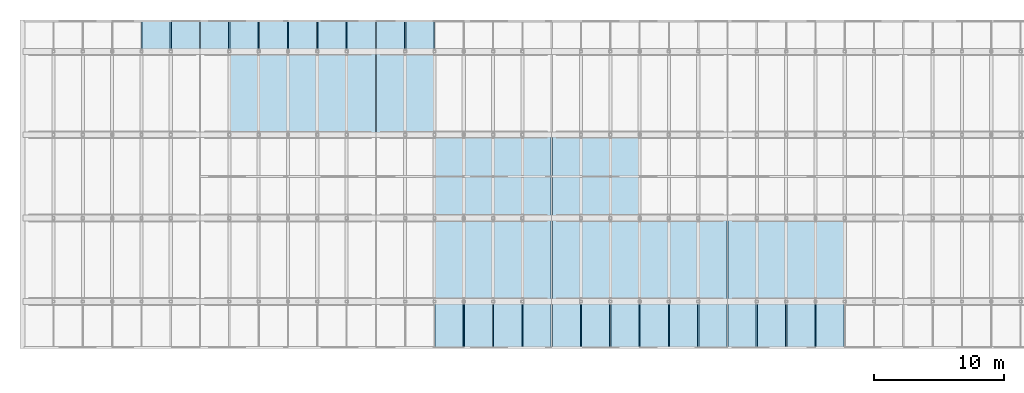
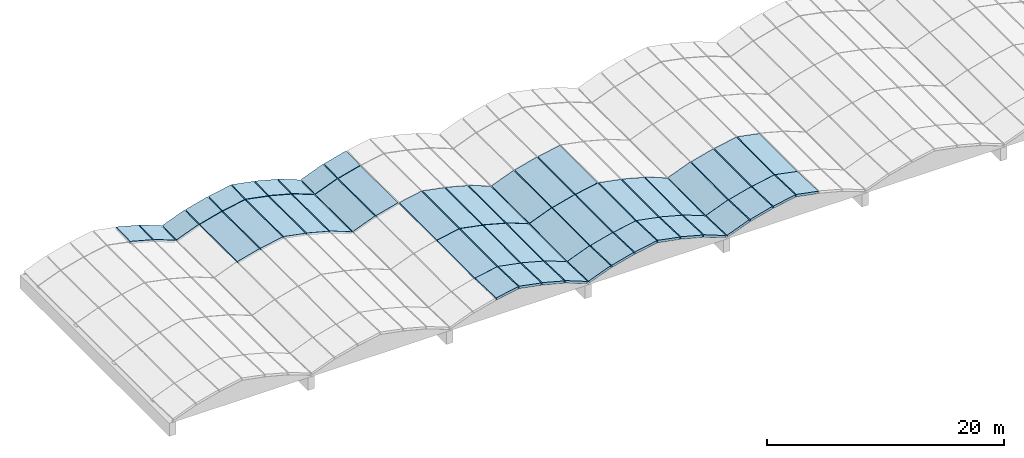
# One storey, part 12 of 15: 52 slabs, 5 elements without a shape of their own.
"""IFC4 building model written with IfcOpenShell, lengths in metres."""

from ifc_helpers import new_model, si_unit, direction, frame, origin, place, context, subcontext, project, spatial, polyline, outline, extrude, material, layer, layer_set, type_object, element, aggregate, save


model = new_model("IFC4")

# Units and contexts
model_context = context("Model", 3, precision=1e-05, world=origin(), true_north=direction((0.0, 1.0)))
body_context = subcontext(model_context, "Body", "Model", "MODEL_VIEW")
ifc_project = project(units=[si_unit("LENGTHUNIT", "METRE"), si_unit("AREAUNIT", "SQUARE_METRE"), si_unit("VOLUMEUNIT", "CUBIC_METRE"), si_unit("PLANEANGLEUNIT", "RADIAN"), si_unit("MASSUNIT", "GRAM", prefix="KILO")], contexts=[model_context])

# Site, building, storey
site_placement = place(None, origin())
site = spatial("IfcSite", under=ifc_project, at=site_placement, CompositionType="ELEMENT")
building_placement = place(site_placement, origin())
building = spatial("IfcBuilding", under=site, at=building_placement, Name="Fikremerkos Civic Library", CompositionType="ELEMENT")
storey_placement = place(building_placement, frame((0.0, 0.0, 27.89990234375)))
storey = spatial("IfcBuildingStorey", under=building, at=storey_placement, Name="RF", CompositionType="ELEMENT", Elevation=27.89990234375)

# Roof, slabs
ifc_material = material(Name="Concrete C40/50", Category="concrete")
ifc_layer_1 = layer(ifc_material, 0.219970703125, Name="Concrete C40/50")
ifc_layer_set_1 = layer_set([ifc_layer_1], Name="Concrete C40/50")
roof_type = type_object("IfcRoofType", Name="Reading hall barrel vault assembly RF-BV", PredefinedType="BARREL_ROOF", material=ifc_layer_set_1)
roof_1_placement = place(storey_placement, origin())
roof_1 = element("IfcRoof", 1, at=roof_1_placement, inside=storey, type_object=roof_type, Name="Reading hall concrete barrel vault V2", PredefinedType="BARREL_ROOF")
ifc_layer_2 = layer(ifc_material, 0.219970703125, Name="Concrete C40/50")
ifc_layer_set_2 = layer_set([ifc_layer_2], Name="Concrete C40/50")
slab_type_1 = type_object("IfcSlabType", Name="Vault shell roof strip VSR-01 220", PredefinedType="ROOF", material=ifc_layer_set_2)
slab_1_placement = place(storey_placement, frame((34.998046875, 24.81494140625, 1.076171875), z_axis=(-0.259108847261, 0.006070671626, 0.965829049168), x_axis=(0.965846846535, 0.0, 0.259113621869)))
slab_1 = element("IfcSlab", 2, at=slab_1_placement, type_object=slab_type_1, Name="Barrel vault shell strip VSR-01 V2 R4 F2", PredefinedType="ROOF", context=body_context, shape_type="SweptSolid", body=[
    extrude(outline(polyline([(0.0, 0.0), (2.2302218432479766, 4.336808689942018e-19), (2.2198471767473684, 6.3702345698807505), (-0.010374666500608148, 6.3702345698807505), (0.0, 0.0)])), origin(), (0.0, 0.0, -1.0), 0.219970703125),
])
slab_2_placement = place(storey_placement, frame((37.248046875, 24.81494140625, 1.654052734375), z_axis=(-0.191446599806, 0.006169067818, 0.981483643279), x_axis=(0.981502320169, 0.0, 0.191450242889)))
slab_2 = element("IfcSlab", 3, at=slab_2_placement, type_object=slab_type_1, Name="Barrel vault shell strip VSR-01 V2 R4 F3", PredefinedType="ROOF", context=body_context, shape_type="SweptSolid", body=[
    extrude(outline(polyline([(0.0, 0.0), (2.1946486423012233, -4.336808689942018e-19), (2.1869831540605427, 6.37023840600168), (-0.0076654882406804545, 6.37023840600168), (0.0, 0.0)])), origin(), (0.0, 0.0, -1.0), 0.219970703125),
])
slab_3_placement = place(storey_placement, frame((39.498046875, 24.81494140625, 2.07421875), z_axis=(0.191446599806, 0.006169067818, 0.981483643279), x_axis=(0.981502320169, 0.0, -0.191450242889)))
slab_3 = element("IfcSlab", 4, at=slab_3_placement, type_object=slab_type_1, Name="Barrel vault shell strip VSR-01 V2 R4 F4", PredefinedType="ROOF", context=body_context, shape_type="SweptSolid", body=[
    extrude(outline(polyline([(0.0, 0.0), (2.1946486423012233, 4.336808689942018e-19), (2.202314130541904, 6.37023840600168), (0.0076654882406804545, 6.37023840600168), (0.0, 0.0)])), origin(), (0.0, 0.0, -1.0), 0.219970703125),
])
slab_4_placement = place(storey_placement, frame((41.748046875, 24.81494140625, 1.654052734375), z_axis=(0.259108847261, 0.006070671626, 0.965829049168), x_axis=(0.965846846535, 0.0, -0.259113621869)))
slab_4 = element("IfcSlab", 5, at=slab_4_placement, type_object=slab_type_1, Name="Barrel vault shell strip VSR-01 V2 R4 F5", PredefinedType="ROOF", context=body_context, shape_type="SweptSolid", body=[
    extrude(outline(polyline([(0.0, 0.0), (2.2302218432479766, -4.336808689942018e-19), (2.2405965097485847, 6.3702345698807505), (0.010374666500608148, 6.3702345698807505), (0.0, 0.0)])), origin(), (0.0, 0.0, -1.0), 0.219970703125),
])
slab_5_placement = place(storey_placement, frame((43.998046875, 24.81494140625, 1.076171875), z_axis=(0.365584139107, 0.005832410844, 0.930760022894), x_axis=(0.930775853527, 2.86336e-07, -0.365590358861)))
slab_5 = element("IfcSlab", 6, at=slab_5_placement, type_object=slab_type_1, Name="Barrel vault shell strip VSR-01 V2 R4 F6", PredefinedType="ROOF", context=body_context, shape_type="SweptSolid", body=[
    extrude(outline(polyline([(0.0, 0.0), (2.314299692254804, -8.673617379884035e-19), (2.328850156019198, 6.370224869609008), (0.01463971922310075, 6.37022619494165), (0.0, 0.0)])), origin(), (0.0, 0.0, -1.0), 0.219970703125),
])

roof_2_placement = place(storey_placement, origin())
roof_2 = element("IfcRoof", 7, at=roof_2_placement, inside=storey, type_object=roof_type, Name="Reading hall concrete barrel vault V3", PredefinedType="BARREL_ROOF")
slab_6_placement = place(storey_placement, frame((50.748046875, 12.014892578125, 1.614013671875), z_axis=(-0.191446599806, -0.006169067818, 0.981483643279), x_axis=(0.981502320169, 0.0, 0.191450242889)))
slab_6 = element("IfcSlab", 8, at=slab_6_placement, type_object=slab_type_1, Name="Barrel vault shell strip VSR-01 V3 R2 F3", PredefinedType="ROOF", context=body_context, shape_type="SweptSolid", body=[
    extrude(outline(polyline([(0.0, 0.0), (2.1946486423012233, 4.336808689942018e-19), (2.202314130541904, 6.37023840600168), (0.0076654882406804545, 6.37023840600168), (0.0, 0.0)])), origin(), (0.0, 0.0, -1.0), 0.219970703125),
])
slab_7_placement = place(storey_placement, frame((52.998046875, 12.014892578125, 2.0341796875), z_axis=(0.191446599806, -0.006169067818, 0.981483643279), x_axis=(0.981502320169, 0.0, -0.191450242889)))
slab_7 = element("IfcSlab", 9, at=slab_7_placement, type_object=slab_type_1, Name="Barrel vault shell strip VSR-01 V3 R2 F4", PredefinedType="ROOF", context=body_context, shape_type="SweptSolid", body=[
    extrude(outline(polyline([(0.0, 0.0), (2.1946486423012233, -4.336808689942018e-19), (2.1869831540605427, 6.37023840600168), (-0.0076654882406804545, 6.37023840600168), (0.0, 0.0)])), origin(), (0.0, 0.0, -1.0), 0.219970703125),
])
slab_8_placement = place(storey_placement, frame((55.248046875, 12.014892578125, 1.614013671875), z_axis=(0.259108847261, -0.006070671626, 0.965829049168), x_axis=(0.965846846535, 0.0, -0.259113621869)))
slab_8 = element("IfcSlab", 10, at=slab_8_placement, type_object=slab_type_1, Name="Barrel vault shell strip VSR-01 V3 R2 F5", PredefinedType="ROOF", context=body_context, shape_type="SweptSolid", body=[
    extrude(outline(polyline([(0.0, 0.0), (2.2302218432479766, 4.336808689942018e-19), (2.2198471767473684, 6.3702345698807505), (-0.010374666500608148, 6.3702345698807505), (0.0, 0.0)])), origin(), (0.0, 0.0, -1.0), 0.219970703125),
])
slab_9_placement = place(storey_placement, frame((57.498046875, 12.014892578125, 1.0361328125), z_axis=(0.365584139107, -0.005832410844, 0.930760022894), x_axis=(0.930775854748, 2.86347e-07, -0.365590355752)))
slab_9 = element("IfcSlab", 11, at=slab_9_placement, type_object=slab_type_1, Name="Barrel vault shell strip VSR-01 V3 R2 F6", PredefinedType="ROOF", context=body_context, shape_type="SweptSolid", body=[
    extrude(outline(polyline([(0.0, 0.0), (2.314210436796477, 8.673617379884035e-19), (2.299663621216719, 6.370224877940915), (-0.014636071037704897, 6.370226203324673), (0.0, 0.0)])), origin(), (0.0, 0.0, -1.0), 0.219970703125),
])
slab_10_placement = place(storey_placement, frame((50.748046875, 18.4150390625, 1.654052734375), z_axis=(-0.191450242889, 0.0, 0.981502320169), x_axis=(0.981502320169, 0.0, 0.191450242889)))
slab_10 = element("IfcSlab", 12, at=slab_10_placement, type_object=slab_type_1, Name="Barrel vault shell strip VSR-01 V3 R3 F3", PredefinedType="ROOF", context=body_context, shape_type="SweptSolid", body=[
    extrude(outline(polyline([(0.0, 0.0), (2.1946486423012233, 0.0), (2.1946486423012233, 6.369873046875), (0.0, 6.369873046875), (0.0, 0.0)])), origin(), (0.0, 0.0, -1.0), 0.219970703125),
])
slab_11_placement = place(storey_placement, frame((52.998046875, 18.4150390625, 2.07421875), z_axis=(0.191450242889, 0.0, 0.981502320169), x_axis=(0.981502320169, 0.0, -0.191450242889)))
slab_11 = element("IfcSlab", 13, at=slab_11_placement, type_object=slab_type_1, Name="Barrel vault shell strip VSR-01 V3 R3 F4", PredefinedType="ROOF", context=body_context, shape_type="SweptSolid", body=[
    extrude(outline(polyline([(0.0, 0.0), (2.1946486423012233, 0.0), (2.1946486423012233, 6.369873046875), (0.0, 6.369873046875), (0.0, 0.0)])), origin(), (0.0, 0.0, -1.0), 0.219970703125),
])
slab_12_placement = place(storey_placement, frame((55.248046875, 18.4150390625, 1.654052734375), z_axis=(0.259113621869, 0.0, 0.965846846535), x_axis=(0.965846846535, 0.0, -0.259113621869)))
slab_12 = element("IfcSlab", 14, at=slab_12_placement, type_object=slab_type_1, Name="Barrel vault shell strip VSR-01 V3 R3 F5", PredefinedType="ROOF", context=body_context, shape_type="SweptSolid", body=[
    extrude(outline(polyline([(0.0, 0.0), (2.2302218432479766, 0.0), (2.2302218432479766, 6.369873046875), (0.0, 6.369873046875), (0.0, 0.0)])), origin(), (0.0, 0.0, -1.0), 0.219970703125),
])
slab_13_placement = place(storey_placement, frame((57.498046875, 18.4150390625, 1.076171875), z_axis=(0.365636053128, 0.0, 0.930757904427), x_axis=(0.930757904427, 0.0, -0.365636053128)))
slab_13 = element("IfcSlab", 15, at=slab_13_placement, type_object=slab_type_1, Name="Barrel vault shell strip VSR-01 V3 R3 F6", PredefinedType="ROOF", context=body_context, shape_type="SweptSolid", body=[
    extrude(outline(polyline([(0.0, 0.0), (2.314299695043787, 0.0), (2.314299695043787, 6.369873046875), (0.0, 6.369873046875), (0.0, 0.0)])), origin(), (0.0, 0.0, -1.0), 0.219970703125),
])
slab_14_placement = place(storey_placement, frame((46.248046875, 24.81494140625, 0.22998046875), z_axis=(-0.365584139107, 0.005832410844, 0.930760022894), x_axis=(0.930775853527, -2.86336e-07, 0.365590358861)))
slab_14 = element("IfcSlab", 16, at=slab_14_placement, type_object=slab_type_1, Name="Barrel vault shell strip VSR-01 V3 R4 F1", PredefinedType="ROOF", context=body_context, shape_type="SweptSolid", body=[
    extrude(outline(polyline([(0.0, 0.0), (2.314299692254804, 8.673617379884035e-19), (2.299659973031703, 6.370226194941651), (-0.014550463764394549, 6.370224869609008), (0.0, 0.0)])), origin(), (0.0, 0.0, -1.0), 0.219970703125),
])
slab_15_placement = place(storey_placement, frame((48.498046875, 24.81494140625, 1.076171875), z_axis=(-0.259108847261, 0.006070671626, 0.965829049168), x_axis=(0.965846846535, 0.0, 0.259113621869)))
slab_15 = element("IfcSlab", 17, at=slab_15_placement, type_object=slab_type_1, Name="Barrel vault shell strip VSR-01 V3 R4 F2", PredefinedType="ROOF", context=body_context, shape_type="SweptSolid", body=[
    extrude(outline(polyline([(0.0, 0.0), (2.2302218432479766, 4.336808689942018e-19), (2.2198471767473684, 6.3702345698807505), (-0.010374666500608148, 6.3702345698807505), (0.0, 0.0)])), origin(), (0.0, 0.0, -1.0), 0.219970703125),
])

roof_3_placement = place(storey_placement, origin())
roof_3 = element("IfcRoof", 18, at=roof_3_placement, inside=storey, type_object=roof_type, Name="Reading hall concrete barrel vault V4", PredefinedType="BARREL_ROOF")
slab_16_placement = place(storey_placement, frame((59.748046875, 12.014892578125, 0.190185546875), z_axis=(-0.365584139107, -0.005832410844, 0.930760022894), x_axis=(0.930775854748, -2.86347e-07, 0.365590355752)))
slab_16 = element("IfcSlab", 19, at=slab_16_placement, type_object=slab_type_1, Name="Barrel vault shell strip VSR-01 V4 R2 F1", PredefinedType="ROOF", context=body_context, shape_type="SweptSolid", body=[
    extrude(outline(polyline([(0.0, 0.0), (2.314210436796477, -8.673617379884035e-19), (2.328846507834182, 6.370226203324673), (0.014546815579757719, 6.370224877940915), (0.0, 0.0)])), origin(), (0.0, 0.0, -1.0), 0.219970703125),
])
slab_17_placement = place(storey_placement, frame((61.998046875, 12.014892578125, 1.0361328125), z_axis=(-0.259108847261, -0.006070671626, 0.965829049168), x_axis=(0.965846846535, 0.0, 0.259113621869)))
slab_17 = element("IfcSlab", 20, at=slab_17_placement, type_object=slab_type_1, Name="Barrel vault shell strip VSR-01 V4 R2 F2", PredefinedType="ROOF", context=body_context, shape_type="SweptSolid", body=[
    extrude(outline(polyline([(0.0, 0.0), (2.2302218432479766, -4.336808689942018e-19), (2.2405965097485847, 6.3702345698807505), (0.010374666500608148, 6.3702345698807505), (0.0, 0.0)])), origin(), (0.0, 0.0, -1.0), 0.219970703125),
])
slab_18_placement = place(storey_placement, frame((64.248046875, 12.014892578125, 1.614013671875), z_axis=(-0.191446599806, -0.006169067818, 0.981483643279), x_axis=(0.981502320169, 0.0, 0.191450242889)))
slab_18 = element("IfcSlab", 21, at=slab_18_placement, type_object=slab_type_1, Name="Barrel vault shell strip VSR-01 V4 R2 F3", PredefinedType="ROOF", context=body_context, shape_type="SweptSolid", body=[
    extrude(outline(polyline([(0.0, 0.0), (2.1946486423012233, 4.336808689942018e-19), (2.202314130541904, 6.37023840600168), (0.0076654882406804545, 6.37023840600168), (0.0, 0.0)])), origin(), (0.0, 0.0, -1.0), 0.219970703125),
])
slab_19_placement = place(storey_placement, frame((66.498046875, 12.014892578125, 2.0341796875), z_axis=(0.191446599806, -0.006169067818, 0.981483643279), x_axis=(0.981502320169, 0.0, -0.191450242889)))
slab_19 = element("IfcSlab", 22, at=slab_19_placement, type_object=slab_type_1, Name="Barrel vault shell strip VSR-01 V4 R2 F4", PredefinedType="ROOF", context=body_context, shape_type="SweptSolid", body=[
    extrude(outline(polyline([(0.0, 0.0), (2.1946486423012233, -4.336808689942018e-19), (2.1869831540605427, 6.37023840600168), (-0.0076654882406804545, 6.37023840600168), (0.0, 0.0)])), origin(), (0.0, 0.0, -1.0), 0.219970703125),
])
slab_20_placement = place(storey_placement, frame((68.748046875, 12.014892578125, 1.614013671875), z_axis=(0.259108847261, -0.006070671626, 0.965829049168), x_axis=(0.965846846535, 0.0, -0.259113621869)))
slab_20 = element("IfcSlab", 23, at=slab_20_placement, type_object=slab_type_1, Name="Barrel vault shell strip VSR-01 V4 R2 F5", PredefinedType="ROOF", context=body_context, shape_type="SweptSolid", body=[
    extrude(outline(polyline([(0.0, 0.0), (2.2302218432479766, 4.336808689942018e-19), (2.2198471767473684, 6.3702345698807505), (-0.010374666500608148, 6.3702345698807505), (0.0, 0.0)])), origin(), (0.0, 0.0, -1.0), 0.219970703125),
])
slab_21_placement = place(storey_placement, frame((70.998046875, 12.014892578125, 1.0361328125), z_axis=(0.365584139107, -0.005832410844, 0.930760022894), x_axis=(0.930775854748, 2.86347e-07, -0.365590355752)))
slab_21 = element("IfcSlab", 24, at=slab_21_placement, type_object=slab_type_1, Name="Barrel vault shell strip VSR-01 V4 R2 F6", PredefinedType="ROOF", context=body_context, shape_type="SweptSolid", body=[
    extrude(outline(polyline([(0.0, 0.0), (2.314210436796477, 8.673617379884035e-19), (2.299663621216719, 6.370224877940915), (-0.014636071037704897, 6.370226203324673), (0.0, 0.0)])), origin(), (0.0, 0.0, -1.0), 0.219970703125),
])
slab_22_placement = place(storey_placement, frame((59.748046875, 18.4150390625, 0.22998046875), z_axis=(-0.365636053128, 0.0, 0.930757904427), x_axis=(0.930757904427, 0.0, 0.365636053128)))
slab_22 = element("IfcSlab", 25, at=slab_22_placement, type_object=slab_type_1, Name="Barrel vault shell strip VSR-01 V4 R3 F1", PredefinedType="ROOF", context=body_context, shape_type="SweptSolid", body=[
    extrude(outline(polyline([(0.0, 0.0), (2.314299695043787, 0.0), (2.314299695043787, 6.369873046875), (0.0, 6.369873046875), (0.0, 0.0)])), origin(), (0.0, 0.0, -1.0), 0.219970703125),
])
slab_23_placement = place(storey_placement, frame((61.998046875, 18.4150390625, 1.076171875), z_axis=(-0.259113621869, 0.0, 0.965846846535), x_axis=(0.965846846535, 0.0, 0.259113621869)))
slab_23 = element("IfcSlab", 26, at=slab_23_placement, type_object=slab_type_1, Name="Barrel vault shell strip VSR-01 V4 R3 F2", PredefinedType="ROOF", context=body_context, shape_type="SweptSolid", body=[
    extrude(outline(polyline([(0.0, 0.0), (2.2302218432479766, 0.0), (2.2302218432479766, 6.369873046875), (0.0, 6.369873046875), (0.0, 0.0)])), origin(), (0.0, 0.0, -1.0), 0.219970703125),
])
slab_24_placement = place(storey_placement, frame((64.248046875, 18.4150390625, 1.654052734375), z_axis=(-0.191450242889, 0.0, 0.981502320169), x_axis=(0.981502320169, 0.0, 0.191450242889)))
slab_24 = element("IfcSlab", 27, at=slab_24_placement, type_object=slab_type_1, Name="Barrel vault shell strip VSR-01 V4 R3 F3", PredefinedType="ROOF", context=body_context, shape_type="SweptSolid", body=[
    extrude(outline(polyline([(0.0, 0.0), (2.1946486423012233, 0.0), (2.1946486423012233, 6.369873046875), (0.0, 6.369873046875), (0.0, 0.0)])), origin(), (0.0, 0.0, -1.0), 0.219970703125),
])

roof_4_placement = place(storey_placement, origin())
roof_4 = element("IfcRoof", 28, at=roof_4_placement, inside=storey, type_object=roof_type, Name="Reading hall concrete barrel vault V5", PredefinedType="BARREL_ROOF")
slab_25_placement = place(storey_placement, frame((73.248046875, 12.014892578125, 0.190185546875), z_axis=(-0.365584139107, -0.005832410844, 0.930760022894), x_axis=(0.930775854748, -2.86347e-07, 0.365590355752)))
slab_25 = element("IfcSlab", 29, at=slab_25_placement, type_object=slab_type_1, Name="Barrel vault shell strip VSR-01 V5 R2 F1", PredefinedType="ROOF", context=body_context, shape_type="SweptSolid", body=[
    extrude(outline(polyline([(0.0, 0.0), (2.314210436796477, -8.673617379884035e-19), (2.328846507834182, 6.370226203324673), (0.014546815579757719, 6.370224877940915), (0.0, 0.0)])), origin(), (0.0, 0.0, -1.0), 0.219970703125),
])
slab_26_placement = place(storey_placement, frame((75.498046875, 12.014892578125, 1.0361328125), z_axis=(-0.259108847261, -0.006070671626, 0.965829049168), x_axis=(0.965846846535, 0.0, 0.259113621869)))
slab_26 = element("IfcSlab", 30, at=slab_26_placement, type_object=slab_type_1, Name="Barrel vault shell strip VSR-01 V5 R2 F2", PredefinedType="ROOF", context=body_context, shape_type="SweptSolid", body=[
    extrude(outline(polyline([(0.0, 0.0), (2.2302218432479766, -4.336808689942018e-19), (2.2405965097485847, 6.3702345698807505), (0.010374666500608148, 6.3702345698807505), (0.0, 0.0)])), origin(), (0.0, 0.0, -1.0), 0.219970703125),
])
slab_27_placement = place(storey_placement, frame((77.748046875, 12.014892578125, 1.614013671875), z_axis=(-0.191446599806, -0.006169067818, 0.981483643279), x_axis=(0.981502320169, 0.0, 0.191450242889)))
slab_27 = element("IfcSlab", 31, at=slab_27_placement, type_object=slab_type_1, Name="Barrel vault shell strip VSR-01 V5 R2 F3", PredefinedType="ROOF", context=body_context, shape_type="SweptSolid", body=[
    extrude(outline(polyline([(0.0, 0.0), (2.1946486423012233, 4.336808689942018e-19), (2.202314130541904, 6.37023840600168), (0.0076654882406804545, 6.37023840600168), (0.0, 0.0)])), origin(), (0.0, 0.0, -1.0), 0.219970703125),
])
slab_28_placement = place(storey_placement, frame((79.998046875, 12.014892578125, 2.0341796875), z_axis=(0.191446599806, -0.006169067818, 0.981483643279), x_axis=(0.981502320169, 0.0, -0.191450242889)))
slab_28 = element("IfcSlab", 32, at=slab_28_placement, type_object=slab_type_1, Name="Barrel vault shell strip VSR-01 V5 R2 F4", PredefinedType="ROOF", context=body_context, shape_type="SweptSolid", body=[
    extrude(outline(polyline([(0.0, 0.0), (2.1946486423012233, -4.336808689942018e-19), (2.1869831540605427, 6.37023840600168), (-0.0076654882406804545, 6.37023840600168), (0.0, 0.0)])), origin(), (0.0, 0.0, -1.0), 0.219970703125),
])

roof_5_placement = place(storey_placement, origin())
roof_5 = element("IfcRoof", 33, at=roof_5_placement, inside=storey, type_object=roof_type, Name="Reading hall concrete barrel vault V1", PredefinedType="BARREL_ROOF")
ifc_layer_3 = layer(ifc_material, 0.239990234375, Name="Concrete C40/50")
ifc_layer_set_3 = layer_set([ifc_layer_3], Name="Concrete C40/50")
slab_type_2 = type_object("IfcSlabType", Name="Vault shell roof strip VSR-02 240", PredefinedType="ROOF", material=ifc_layer_set_3)
slab_29_placement = place(storey_placement, frame((28.248046875, 31.215087890625, 1.634033203125), z_axis=(0.259047553694, -0.02258074905, 0.965600577204), x_axis=(0.965846846535, 0.0, -0.259113621869)))
slab_29 = element("IfcSlab", 34, at=slab_29_placement, type_object=slab_type_2, Name="Barrel vault shell strip VSR-02 V1 R5 F5", PredefinedType="ROOF", context=body_context, shape_type="SweptSolid", body=[
    extrude(outline(polyline([(0.0, 0.0), (2.2302218432479766, 0.0), (2.215861786567257, 2.370477465578898), (-0.014360056680719815, 2.370477465578898), (0.0, 0.0)])), origin(), (0.0, 0.0, -1.0), 0.239990234375),
])
slab_30_placement = place(storey_placement, frame((30.498046875, 31.215087890625, 1.05615234375), z_axis=(0.365504165159, -0.021713302518, 0.930556412984), x_axis=(0.930775862599, 1.0658e-06, -0.365590335761)))
slab_30 = element("IfcSlab", 35, at=slab_30_placement, type_object=slab_type_2, Name="Barrel vault shell strip VSR-02 V1 R5 F6", PredefinedType="ROOF", context=body_context, shape_type="SweptSolid", body=[
    extrude(outline(polyline([(0.0, 0.0), (2.3142104367976972, 3.469446951953614e-18), (2.294041230215815, 2.3704294579977616), (-0.020258462034948587, 2.370434392228092), (0.0, 0.0)])), origin(), (0.0, 0.0, -1.0), 0.239990234375),
])
aggregate(roof_5, [slab_29, slab_30])

# Slab
slab_31_placement = place(storey_placement, frame((32.748046875, 31.215087890625, 0.210205078125), z_axis=(-0.365504165159, -0.021713302518, 0.930556412984), x_axis=(0.930775862599, -1.0658e-06, 0.365590335761)))
slab_31 = element("IfcSlab", 36, at=slab_31_placement, type_object=slab_type_2, Name="Barrel vault shell strip VSR-02 V2 R5 F1", PredefinedType="ROOF", context=body_context, shape_type="SweptSolid", body=[
    extrude(outline(polyline([(0.0, 0.0), (2.3142104367976972, -3.469446951953614e-18), (2.334468898832646, 2.370434392228092), (0.02016920658188198, 2.3704294579977616), (0.0, 0.0)])), origin(), (0.0, 0.0, -1.0), 0.239990234375),
])

slab_32_placement = place(storey_placement, frame((34.998046875, 31.215087890625, 1.05615234375), z_axis=(-0.259047553694, -0.02258074905, 0.965600577204), x_axis=(0.965846846535, 0.0, 0.259113621869)))
slab_32 = element("IfcSlab", 37, at=slab_32_placement, type_object=slab_type_2, Name="Barrel vault shell strip VSR-02 V2 R5 F2", PredefinedType="ROOF", context=body_context, shape_type="SweptSolid", body=[
    extrude(outline(polyline([(0.0, 0.0), (2.2302218432479766, 0.0), (2.2445818999286966, 2.370477465578898), (0.014360056680719815, 2.370477465578898), (0.0, 0.0)])), origin(), (0.0, 0.0, -1.0), 0.239990234375),
])

slab_33_placement = place(storey_placement, frame((37.248046875, 31.215087890625, 1.634033203125), z_axis=(-0.191399832658, -0.022946570677, 0.981243883524), x_axis=(0.981502320169, 0.0, 0.191450242889)))
slab_33 = element("IfcSlab", 38, at=slab_33_placement, type_object=slab_type_2, Name="Barrel vault shell strip VSR-02 V2 R5 F3", PredefinedType="ROOF", context=body_context, shape_type="SweptSolid", body=[
    extrude(outline(polyline([(0.0, 0.0), (2.1946486423012233, 0.0), (2.2052587998050917, 2.3704972159028093), (0.010610157503868678, 2.3704972159028093), (0.0, 0.0)])), origin(), (0.0, 0.0, -1.0), 0.239990234375),
])

slab_34_placement = place(storey_placement, frame((39.498046875, 31.215087890625, 2.05419921875), z_axis=(0.191399832658, -0.022946570677, 0.981243883524), x_axis=(0.981502320169, 0.0, -0.191450242889)))
slab_34 = element("IfcSlab", 39, at=slab_34_placement, type_object=slab_type_2, Name="Barrel vault shell strip VSR-02 V2 R5 F4", PredefinedType="ROOF", context=body_context, shape_type="SweptSolid", body=[
    extrude(outline(polyline([(0.0, 0.0), (2.1946486423012233, 0.0), (2.1840384847973544, 2.3704972159028093), (-0.010610157503868678, 2.3704972159028093), (0.0, 0.0)])), origin(), (0.0, 0.0, -1.0), 0.239990234375),
])

slab_35_placement = place(storey_placement, frame((41.748046875, 31.215087890625, 1.634033203125), z_axis=(0.259047553694, -0.02258074905, 0.965600577204), x_axis=(0.965846846535, 0.0, -0.259113621869)))
slab_35 = element("IfcSlab", 40, at=slab_35_placement, type_object=slab_type_2, Name="Barrel vault shell strip VSR-02 V2 R5 F5", PredefinedType="ROOF", context=body_context, shape_type="SweptSolid", body=[
    extrude(outline(polyline([(0.0, 0.0), (2.2302218432479766, 0.0), (2.215861786567257, 2.370477465578898), (-0.014360056680719815, 2.370477465578898), (0.0, 0.0)])), origin(), (0.0, 0.0, -1.0), 0.239990234375),
])

slab_36_placement = place(storey_placement, frame((43.998046875, 31.215087890625, 1.05615234375), z_axis=(0.365504165159, -0.021713302518, 0.930556412984), x_axis=(0.930775862599, 1.0658e-06, -0.365590335761)))
slab_36 = element("IfcSlab", 41, at=slab_36_placement, type_object=slab_type_2, Name="Barrel vault shell strip VSR-02 V2 R5 F6", PredefinedType="ROOF", context=body_context, shape_type="SweptSolid", body=[
    extrude(outline(polyline([(0.0, 0.0), (2.3142104367976972, 3.469446951953614e-18), (2.294041230215815, 2.3704294579977616), (-0.020258462034948587, 2.370434392228092), (0.0, 0.0)])), origin(), (0.0, 0.0, -1.0), 0.239990234375),
])

aggregate(roof_1, [slab_1, slab_2, slab_3, slab_4, slab_5, slab_31, slab_32, slab_33, slab_34, slab_35, slab_36])

slab_37_placement = place(storey_placement, frame((50.748046875, 8.4150390625, 1.7587890625), z_axis=(-0.191337732025, 0.034278392784, 0.980925514038), x_axis=(0.981502320169, 0.0, 0.191450242889)))
slab_37 = element("IfcSlab", 42, at=slab_37_placement, type_object=slab_type_2, Name="Barrel vault shell strip VSR-02 V3 R1 F3", PredefinedType="ROOF", context=body_context, shape_type="SweptSolid", body=[
    extrude(outline(polyline([(0.0, 0.0), (2.1946486423012233, 0.0), (2.1707641027220297, 3.5721676393792037), (-0.023884539579193367, 3.5721676393792037), (0.0, 0.0)])), origin(), (0.0, 0.0, -1.0), 0.239990234375),
])

slab_38_placement = place(storey_placement, frame((52.998046875, 8.4150390625, 2.178955078125), z_axis=(0.191337732025, 0.034278392784, 0.980925514038), x_axis=(0.981502320169, 0.0, -0.191450242889)))
slab_38 = element("IfcSlab", 43, at=slab_38_placement, type_object=slab_type_2, Name="Barrel vault shell strip VSR-02 V3 R1 F4", PredefinedType="ROOF", context=body_context, shape_type="SweptSolid", body=[
    extrude(outline(polyline([(0.0, 0.0), (2.1946486423012233, 0.0), (2.2185331818804164, 3.5721676393792032), (0.023884539579193367, 3.5721676393792037), (0.0, 0.0)])), origin(), (0.0, 0.0, -1.0), 0.239990234375),
])

slab_39_placement = place(storey_placement, frame((55.248046875, 8.4150390625, 1.7587890625), z_axis=(0.258966161686, 0.033732261724, 0.965297188238), x_axis=(0.965846846535, 0.0, -0.259113621869)))
slab_39 = element("IfcSlab", 44, at=slab_39_placement, type_object=slab_type_2, Name="Barrel vault shell strip VSR-02 V3 R1 F5", PredefinedType="ROOF", context=body_context, shape_type="SweptSolid", body=[
    extrude(outline(polyline([(0.0, 0.0), (2.2302218432479766, 0.0), (2.2625477858199936, 3.572101223159239), (0.032325942572016854, 3.572101223159239), (0.0, 0.0)])), origin(), (0.0, 0.0, -1.0), 0.239990234375),
])

slab_40_placement = place(storey_placement, frame((57.498046875, 8.4150390625, 1.180908203125), z_axis=(0.365351443407, 0.032509350127, 0.930301813905), x_axis=(0.930793802296, 0.0, -0.365544658841)))
slab_40 = element("IfcSlab", 45, at=slab_40_placement, type_object=slab_type_2, Name="Barrel vault shell strip VSR-02 V3 R1 F6", PredefinedType="ROOF", context=body_context, shape_type="SweptSolid", body=[
    extrude(outline(polyline([(0.0, 0.0), (2.314210439585568, 3.469446951953614e-18), (2.3598142776392406, 3.571956383414232), (0.04560383805367241, 3.5719563834142316), (0.0, 0.0)])), origin(), (0.0, 0.0, -1.0), 0.239990234375),
])

slab_41_placement = place(storey_placement, frame((46.248046875, 31.215087890625, 0.210205078125), z_axis=(-0.365504165159, -0.021713302518, 0.930556412984), x_axis=(0.930775862599, -1.0658e-06, 0.365590335761)))
slab_41 = element("IfcSlab", 46, at=slab_41_placement, type_object=slab_type_2, Name="Barrel vault shell strip VSR-02 V3 R5 F1", PredefinedType="ROOF", context=body_context, shape_type="SweptSolid", body=[
    extrude(outline(polyline([(0.0, 0.0), (2.3142104367976972, -3.469446951953614e-18), (2.334468898832646, 2.370434392228092), (0.02016920658188198, 2.3704294579977616), (0.0, 0.0)])), origin(), (0.0, 0.0, -1.0), 0.239990234375),
])

slab_42_placement = place(storey_placement, frame((48.498046875, 31.215087890625, 1.05615234375), z_axis=(-0.259047553694, -0.02258074905, 0.965600577204), x_axis=(0.965846846535, 0.0, 0.259113621869)))
slab_42 = element("IfcSlab", 47, at=slab_42_placement, type_object=slab_type_2, Name="Barrel vault shell strip VSR-02 V3 R5 F2", PredefinedType="ROOF", context=body_context, shape_type="SweptSolid", body=[
    extrude(outline(polyline([(0.0, 0.0), (2.2302218432479766, 0.0), (2.2445818999286966, 2.370477465578898), (0.014360056680719815, 2.370477465578898), (0.0, 0.0)])), origin(), (0.0, 0.0, -1.0), 0.239990234375),
])

aggregate(roof_2, [slab_37, slab_38, slab_39, slab_40, slab_6, slab_7, slab_8, slab_9, slab_10, slab_11, slab_12, slab_13, slab_14, slab_15, slab_41, slab_42])

slab_43_placement = place(storey_placement, frame((59.748046875, 8.4150390625, 0.3349609375), z_axis=(-0.365351443407, 0.032509350127, 0.930301813905), x_axis=(0.930793802296, 0.0, 0.365544658841)))
slab_43 = element("IfcSlab", 48, at=slab_43_placement, type_object=slab_type_2, Name="Barrel vault shell strip VSR-02 V4 R1 F1", PredefinedType="ROOF", context=body_context, shape_type="SweptSolid", body=[
    extrude(outline(polyline([(0.0, 0.0), (2.314210439585568, -3.469446951953614e-18), (2.2686066015318955, 3.5719563834142316), (-0.04560383805367241, 3.5719563834142316), (0.0, 0.0)])), origin(), (0.0, 0.0, -1.0), 0.239990234375),
])

slab_44_placement = place(storey_placement, frame((61.998046875, 8.4150390625, 1.180908203125), z_axis=(-0.258966161686, 0.033732261724, 0.965297188238), x_axis=(0.965846846535, 0.0, 0.259113621869)))
slab_44 = element("IfcSlab", 49, at=slab_44_placement, type_object=slab_type_2, Name="Barrel vault shell strip VSR-02 V4 R1 F2", PredefinedType="ROOF", context=body_context, shape_type="SweptSolid", body=[
    extrude(outline(polyline([(0.0, 0.0), (2.2302218432479766, 0.0), (2.19789590067596, 3.572101223159239), (-0.032325942572016854, 3.572101223159239), (0.0, 0.0)])), origin(), (0.0, 0.0, -1.0), 0.239990234375),
])

slab_45_placement = place(storey_placement, frame((64.248046875, 8.4150390625, 1.7587890625), z_axis=(-0.191337732025, 0.034278392784, 0.980925514038), x_axis=(0.981502320169, 0.0, 0.191450242889)))
slab_45 = element("IfcSlab", 50, at=slab_45_placement, type_object=slab_type_2, Name="Barrel vault shell strip VSR-02 V4 R1 F3", PredefinedType="ROOF", context=body_context, shape_type="SweptSolid", body=[
    extrude(outline(polyline([(0.0, 0.0), (2.1946486423012233, 0.0), (2.1707641027220297, 3.5721676393792037), (-0.023884539579193367, 3.5721676393792037), (0.0, 0.0)])), origin(), (0.0, 0.0, -1.0), 0.239990234375),
])

slab_46_placement = place(storey_placement, frame((66.498046875, 8.4150390625, 2.178955078125), z_axis=(0.191337732025, 0.034278392784, 0.980925514038), x_axis=(0.981502320169, 0.0, -0.191450242889)))
slab_46 = element("IfcSlab", 51, at=slab_46_placement, type_object=slab_type_2, Name="Barrel vault shell strip VSR-02 V4 R1 F4", PredefinedType="ROOF", context=body_context, shape_type="SweptSolid", body=[
    extrude(outline(polyline([(0.0, 0.0), (2.1946486423012233, 0.0), (2.2185331818804164, 3.5721676393792032), (0.023884539579193367, 3.5721676393792037), (0.0, 0.0)])), origin(), (0.0, 0.0, -1.0), 0.239990234375),
])

slab_47_placement = place(storey_placement, frame((68.748046875, 8.4150390625, 1.7587890625), z_axis=(0.258966161686, 0.033732261724, 0.965297188238), x_axis=(0.965846846535, 0.0, -0.259113621869)))
slab_47 = element("IfcSlab", 52, at=slab_47_placement, type_object=slab_type_2, Name="Barrel vault shell strip VSR-02 V4 R1 F5", PredefinedType="ROOF", context=body_context, shape_type="SweptSolid", body=[
    extrude(outline(polyline([(0.0, 0.0), (2.2302218432479766, 0.0), (2.2625477858199936, 3.572101223159239), (0.032325942572016854, 3.572101223159239), (0.0, 0.0)])), origin(), (0.0, 0.0, -1.0), 0.239990234375),
])

slab_48_placement = place(storey_placement, frame((70.998046875, 8.4150390625, 1.180908203125), z_axis=(0.365351443407, 0.032509350127, 0.930301813905), x_axis=(0.930793802296, 0.0, -0.365544658841)))
slab_48 = element("IfcSlab", 53, at=slab_48_placement, type_object=slab_type_2, Name="Barrel vault shell strip VSR-02 V4 R1 F6", PredefinedType="ROOF", context=body_context, shape_type="SweptSolid", body=[
    extrude(outline(polyline([(0.0, 0.0), (2.314210439585568, 3.469446951953614e-18), (2.3598142776392406, 3.571956383414232), (0.04560383805367241, 3.5719563834142316), (0.0, 0.0)])), origin(), (0.0, 0.0, -1.0), 0.239990234375),
])

aggregate(roof_3, [slab_43, slab_44, slab_45, slab_46, slab_47, slab_48, slab_16, slab_17, slab_18, slab_19, slab_20, slab_21, slab_22, slab_23, slab_24])

slab_49_placement = place(storey_placement, frame((73.248046875, 8.4150390625, 0.3349609375), z_axis=(-0.365351443407, 0.032509350127, 0.930301813905), x_axis=(0.930793802296, 0.0, 0.365544658841)))
slab_49 = element("IfcSlab", 54, at=slab_49_placement, type_object=slab_type_2, Name="Barrel vault shell strip VSR-02 V5 R1 F1", PredefinedType="ROOF", context=body_context, shape_type="SweptSolid", body=[
    extrude(outline(polyline([(0.0, 0.0), (2.314210439585568, -3.469446951953614e-18), (2.2686066015318955, 3.5719563834142316), (-0.04560383805367241, 3.5719563834142316), (0.0, 0.0)])), origin(), (0.0, 0.0, -1.0), 0.239990234375),
])

slab_50_placement = place(storey_placement, frame((75.498046875, 8.4150390625, 1.180908203125), z_axis=(-0.258966161686, 0.033732261724, 0.965297188238), x_axis=(0.965846846535, 0.0, 0.259113621869)))
slab_50 = element("IfcSlab", 55, at=slab_50_placement, type_object=slab_type_2, Name="Barrel vault shell strip VSR-02 V5 R1 F2", PredefinedType="ROOF", context=body_context, shape_type="SweptSolid", body=[
    extrude(outline(polyline([(0.0, 0.0), (2.2302218432479766, 0.0), (2.19789590067596, 3.572101223159239), (-0.032325942572016854, 3.572101223159239), (0.0, 0.0)])), origin(), (0.0, 0.0, -1.0), 0.239990234375),
])

slab_51_placement = place(storey_placement, frame((77.748046875, 8.4150390625, 1.7587890625), z_axis=(-0.191337732025, 0.034278392784, 0.980925514038), x_axis=(0.981502320169, 0.0, 0.191450242889)))
slab_51 = element("IfcSlab", 56, at=slab_51_placement, type_object=slab_type_2, Name="Barrel vault shell strip VSR-02 V5 R1 F3", PredefinedType="ROOF", context=body_context, shape_type="SweptSolid", body=[
    extrude(outline(polyline([(0.0, 0.0), (2.1946486423012233, 0.0), (2.1707641027220297, 3.5721676393792037), (-0.023884539579193367, 3.5721676393792037), (0.0, 0.0)])), origin(), (0.0, 0.0, -1.0), 0.239990234375),
])

slab_52_placement = place(storey_placement, frame((79.998046875, 8.4150390625, 2.178955078125), z_axis=(0.191337732025, 0.034278392784, 0.980925514038), x_axis=(0.981502320169, 0.0, -0.191450242889)))
slab_52 = element("IfcSlab", 57, at=slab_52_placement, type_object=slab_type_2, Name="Barrel vault shell strip VSR-02 V5 R1 F4", PredefinedType="ROOF", context=body_context, shape_type="SweptSolid", body=[
    extrude(outline(polyline([(0.0, 0.0), (2.1946486423012233, 0.0), (2.2185331818804164, 3.5721676393792032), (0.023884539579193367, 3.5721676393792037), (0.0, 0.0)])), origin(), (0.0, 0.0, -1.0), 0.239990234375),
])

aggregate(roof_4, [slab_49, slab_50, slab_51, slab_52, slab_25, slab_26, slab_27, slab_28])

save(model, "model.ifc")
